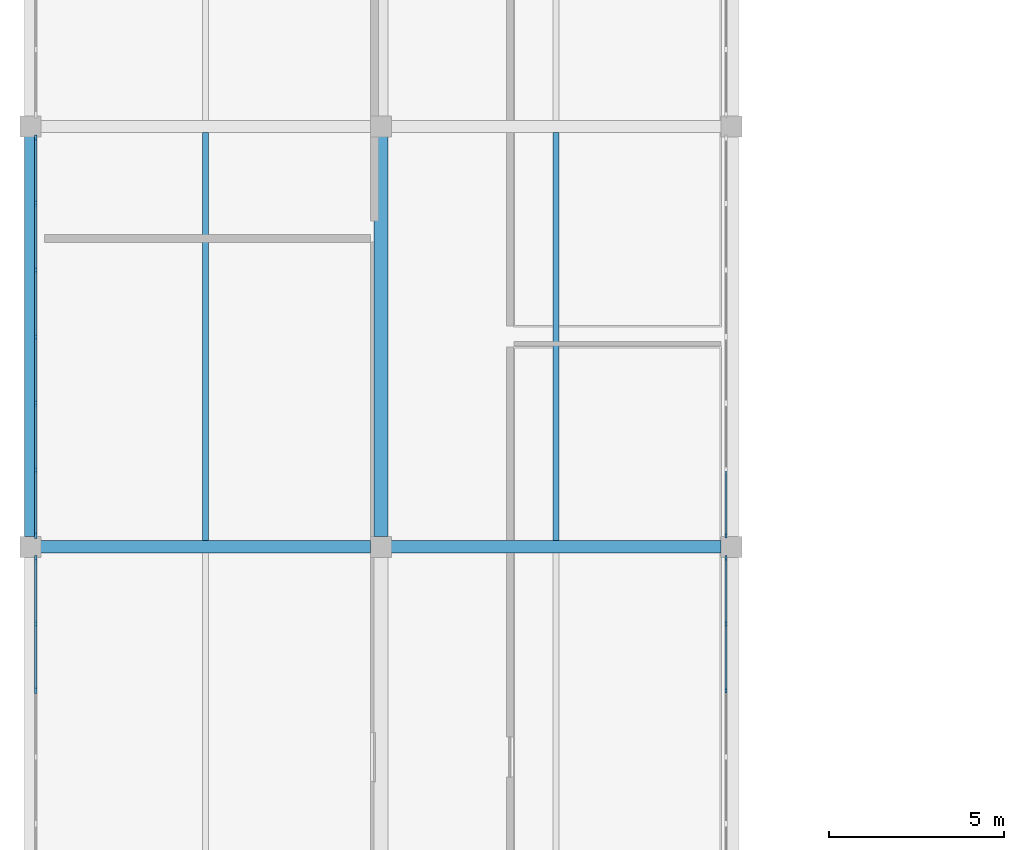
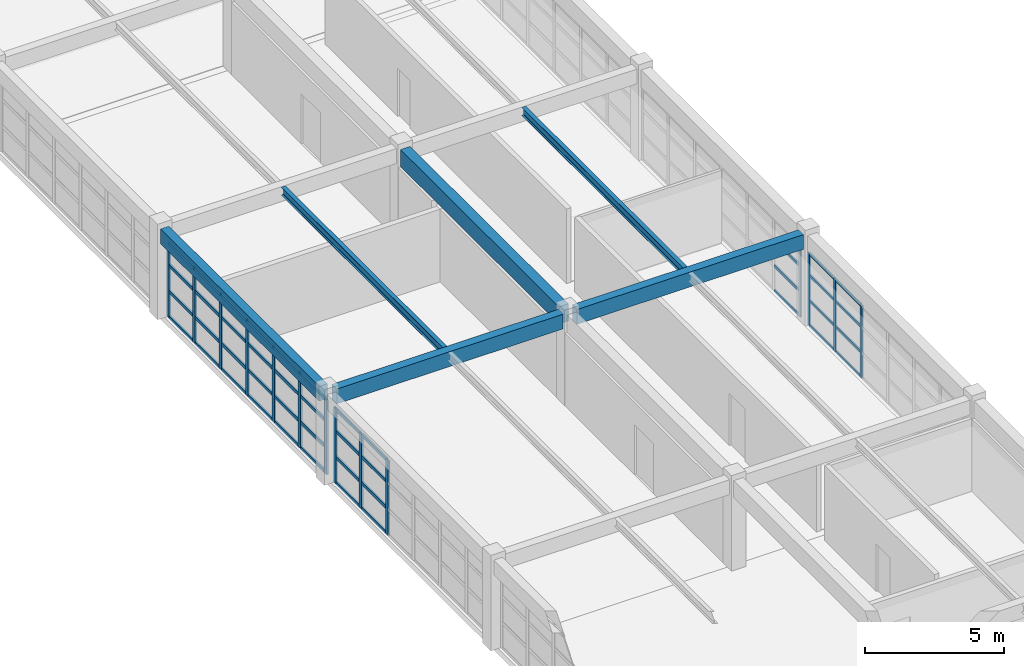
# One storey, part 5 of 28: 57 members, 6 beams, 4 elements without a shape of their own.
"""IFC4 building model written with IfcOpenShell, lengths in metres."""

from ifc_helpers import new_model, si_unit, direction, frame, origin, origin_2d, place, context, subcontext, project, spatial, rectangle, i_section, extrude, material, layer, layer_set, material_profile, profile_set, type_object, element, aggregate, save


model = new_model("IFC4")

# Units and contexts
model_context = context("Model", 3, precision=1e-05, world=origin(), true_north=direction((0.0, 1.0)))
body_context = subcontext(model_context, "Body", "Model", "MODEL_VIEW")
ifc_project = project(units=[si_unit("LENGTHUNIT", "METRE"), si_unit("AREAUNIT", "SQUARE_METRE"), si_unit("VOLUMEUNIT", "CUBIC_METRE"), si_unit("PLANEANGLEUNIT", "RADIAN"), si_unit("MASSUNIT", "GRAM", prefix="KILO")], contexts=[model_context])

# Site, building, storey
site_placement = place(None, origin())
site = spatial("IfcSite", under=ifc_project, at=site_placement, CompositionType="ELEMENT")
building_placement = place(site_placement, origin())
building = spatial("IfcBuilding", under=site, at=building_placement, Name="Kivolera Central Railway Station", CompositionType="ELEMENT")
storey_placement = place(building_placement, frame((0.0, 0.0, 18.60009765625)))
storey = spatial("IfcBuildingStorey", under=building, at=storey_placement, Name="L04", CompositionType="ELEMENT", Elevation=18.60009765625)

# Beams
ifc_material_1 = material(Name="Steel S355", Category="steel")
ifc_material_profile_1 = material_profile(ifc_material_1, i_section(OverallWidth=0.169921875, OverallDepth=0.360107421875, WebThickness=0.008056640625, FlangeThickness=0.0126953125, FilletRadius=0.01806640625, at=origin_2d()), Name="IPE 360")
ifc_profile_set_1 = profile_set([ifc_material_profile_1], Name="Steel S355")
beam_type_1 = type_object("IfcBeamType", Name="BM-JST-IPE360", PredefinedType="JOIST", material=ifc_profile_set_1)
for number, where, z_axis, x_axis, name in (
    (1, (123.0, 90.1669921875, 3.7578125), (0.0, 1.0, 0.0), (-1.0, 0.0, 0.0), "L04 Floor Joist 12-13/H-J"),
    (2, (133.0, 90.1669921875, 3.7578125), (0.0, 1.0, 0.0), (-1.0, 0.0, 0.0), "L04 Floor Joist 13-14/H-J"),
):
    element("IfcBeam", number, at=place(storey_placement, frame(where, z_axis=z_axis, x_axis=x_axis)), inside=storey, type_object=beam_type_1, Name=name, PredefinedType="JOIST", context=body_context, shape_type="SweptSolid", body=[
        extrude(i_section(OverallWidth=0.169921875, OverallDepth=0.360107421875, WebThickness=0.008056640625, FlangeThickness=0.0126953125, FilletRadius=0.01806640625, at=origin_2d()), origin(), (0.0, 0.0, 1.0), 11.666015625),
    ])
ifc_material_2 = material(Name="Concrete C40/50", Category="concrete")
ifc_material_profile_2 = material_profile(ifc_material_2, rectangle(XDim=0.35009765625, YDim=0.64990234375, at=origin_2d()), Name="RC 350x650")
ifc_profile_set_2 = profile_set([ifc_material_profile_2], Name="Concrete C40/50")
beam_type_2 = type_object("IfcBeamType", Name="BM-RC-350x650", PredefinedType="BEAM", material=ifc_profile_set_2)
for number, where, z_axis, x_axis, name in (
    (3, (118.2919921875, 90.0, 3.625), (1.0, 0.0, 0.0), (0.0, 1.0, 0.0), "L04 Wing X-Beam H:12-13"),
    (4, (128.2919921875, 90.0, 3.625), (1.0, 0.0, 0.0), (0.0, 1.0, 0.0), "L04 Wing X-Beam H:13-14"),
):
    element("IfcBeam", number, at=place(storey_placement, frame(where, z_axis=z_axis, x_axis=x_axis)), inside=storey, type_object=beam_type_2, Name=name, PredefinedType="BEAM", context=body_context, shape_type="SweptSolid", body=[
        extrude(rectangle(XDim=0.35009765625, YDim=0.64990234375, at=origin_2d()), origin(), (0.0, 0.0, 1.0), 9.416015625),
    ])
ifc_material_profile_3 = material_profile(ifc_material_2, rectangle(XDim=0.39990234375, YDim=0.75, at=origin_2d()), Name="RC 400x750")
ifc_profile_set_3 = profile_set([ifc_material_profile_3], Name="Concrete C40/50")
beam_type_3 = type_object("IfcBeamType", Name="BM-RC-400x750", PredefinedType="BEAM", material=ifc_profile_set_3)
beam_1_placement = place(storey_placement, frame((128.0, 90.2919921875, 3.574951171875), z_axis=(0.0, 1.0, 0.0), x_axis=(-1.0, 0.0, 0.0)))
element("IfcBeam", 5, at=beam_1_placement, inside=storey, type_object=beam_type_3, Name="L04 Wing Y-Beam 13:H-J", PredefinedType="BEAM", context=body_context, shape_type="SweptSolid", body=[
    extrude(rectangle(XDim=0.39990234375, YDim=0.75, at=origin_2d()), origin(), (0.0, 0.0, 1.0), 11.416015625),
])
ifc_material_profile_4 = material_profile(ifc_material_2, rectangle(XDim=0.35009765625, YDim=0.64990234375, at=origin_2d()), Name="RC 350x650")
ifc_profile_set_4 = profile_set([ifc_material_profile_4], Name="Concrete C40/50")
beam_type_4 = type_object("IfcBeamType", Name="BM-SPN-RC650", PredefinedType="SPANDREL", material=ifc_profile_set_4)
beam_2_placement = place(storey_placement, frame((118.0, 90.2919921875, 3.625), z_axis=(0.0, 1.0, 0.0), x_axis=(-1.0, 0.0, 0.0)))
element("IfcBeam", 6, at=beam_2_placement, inside=storey, type_object=beam_type_4, Name="L04 Wing Y-Beam 12:H-J", PredefinedType="SPANDREL", context=body_context, shape_type="SweptSolid", body=[
    extrude(rectangle(XDim=0.35009765625, YDim=0.64990234375, at=origin_2d()), origin(), (0.0, 0.0, 1.0), 11.416015625),
])

# Curtain wall, members
ifc_material_3 = material(Name="Anodised aluminium", Category="aluminium")
ifc_layer_1 = layer(ifc_material_3, 0.179931640625, Name="Anodised aluminium")
ifc_layer_set_1 = layer_set([ifc_layer_1], Name="Anodised aluminium")
curtain_wall_type_1 = type_object("IfcCurtainWallType", Name="CW-SYS-33", PredefinedType="NOTDEFINED", material=ifc_layer_set_1)
curtain_wall_1_placement = place(storey_placement, origin())
curtain_wall_1 = element("IfcCurtainWall", 7, at=curtain_wall_1_placement, inside=storey, type_object=curtain_wall_type_1, Name="L04 Curtain Wall CW-L04-WEST-G", PredefinedType="NOTDEFINED")
ifc_material_profile_5 = material_profile(ifc_material_3, rectangle(XDim=0.070068359375, YDim=0.179931640625, at=origin_2d()), Name="ALU MULL 70x180")
ifc_profile_set_5 = profile_set([ifc_material_profile_5], Name="Anodised aluminium")
member_type_1 = type_object("IfcMemberType", Name="CWM-MUL-1", PredefinedType="MULLION", material=ifc_profile_set_5)
member_1_placement = place(storey_placement, frame((118.14501953125, 85.901611328125, -0.005126953125), z_axis=(0.0, 0.0, 1.0), x_axis=(-1.0, 0.0, 0.0)))
member_1 = element("IfcMember", 8, at=member_1_placement, type_object=member_type_1, Name="CW-33 mullion 5", PredefinedType="MULLION", context=body_context, shape_type="SweptSolid", body=[
    extrude(rectangle(XDim=0.070068359375, YDim=0.179931640625, at=origin_2d()), origin(), (0.0, 0.0, 1.0), 3.29296875),
])
member_2_placement = place(storey_placement, frame((118.14501953125, 87.80322265625, -0.005126953125), z_axis=(0.0, 0.0, 1.0), x_axis=(-1.0, 0.0, 0.0)))
member_2 = element("IfcMember", 9, at=member_2_placement, type_object=member_type_1, Name="CW-33 mullion 6", PredefinedType="MULLION", context=body_context, shape_type="SweptSolid", body=[
    extrude(rectangle(XDim=0.070068359375, YDim=0.179931640625, at=origin_2d()), origin(), (0.0, 0.0, 1.0), 3.29296875),
])
member_3_placement = place(storey_placement, frame((118.14501953125, 89.669921875, -0.005126953125), z_axis=(0.0, 0.0, 1.0), x_axis=(-1.0, 0.0, 0.0)))
member_3 = element("IfcMember", 10, at=member_3_placement, type_object=member_type_1, Name="CW-33 mullion 7", PredefinedType="MULLION", context=body_context, shape_type="SweptSolid", body=[
    extrude(rectangle(XDim=0.070068359375, YDim=0.179931640625, at=origin_2d()), origin(), (0.0, 0.0, 1.0), 3.29296875),
])

curtain_wall_2_placement = place(storey_placement, origin())
curtain_wall_2 = element("IfcCurtainWall", 11, at=curtain_wall_2_placement, inside=storey, type_object=curtain_wall_type_1, Name="L04 Curtain Wall CW-L04-WEST-H", PredefinedType="NOTDEFINED")
member_4_placement = place(storey_placement, frame((118.14501953125, 90.330078125, -0.005126953125), z_axis=(0.0, 0.0, 1.0), x_axis=(-1.0, 0.0, 0.0)))
member_4 = element("IfcMember", 12, at=member_4_placement, type_object=member_type_1, Name="CW-33 mullion 1", PredefinedType="MULLION", context=body_context, shape_type="SweptSolid", body=[
    extrude(rectangle(XDim=0.070068359375, YDim=0.179931640625, at=origin_2d()), origin(), (0.0, 0.0, 1.0), 3.29296875),
])
member_5_placement = place(storey_placement, frame((118.14501953125, 92.19677734375, -0.005126953125), z_axis=(0.0, 0.0, 1.0), x_axis=(-1.0, 0.0, 0.0)))
member_5 = element("IfcMember", 13, at=member_5_placement, type_object=member_type_1, Name="CW-33 mullion 2", PredefinedType="MULLION", context=body_context, shape_type="SweptSolid", body=[
    extrude(rectangle(XDim=0.070068359375, YDim=0.179931640625, at=origin_2d()), origin(), (0.0, 0.0, 1.0), 3.29296875),
])
member_6_placement = place(storey_placement, frame((118.14501953125, 94.098388671875, -0.005126953125), z_axis=(0.0, 0.0, 1.0), x_axis=(-1.0, 0.0, 0.0)))
member_6 = element("IfcMember", 14, at=member_6_placement, type_object=member_type_1, Name="CW-33 mullion 3", PredefinedType="MULLION", context=body_context, shape_type="SweptSolid", body=[
    extrude(rectangle(XDim=0.070068359375, YDim=0.179931640625, at=origin_2d()), origin(), (0.0, 0.0, 1.0), 3.29296875),
])
member_7_placement = place(storey_placement, frame((118.14501953125, 96.0, -0.005126953125), z_axis=(0.0, 0.0, 1.0), x_axis=(-1.0, 0.0, 0.0)))
member_7 = element("IfcMember", 15, at=member_7_placement, type_object=member_type_1, Name="CW-33 mullion 4", PredefinedType="MULLION", context=body_context, shape_type="SweptSolid", body=[
    extrude(rectangle(XDim=0.070068359375, YDim=0.179931640625, at=origin_2d()), origin(), (0.0, 0.0, 1.0), 3.29296875),
])
member_8_placement = place(storey_placement, frame((118.14501953125, 97.901611328125, -0.005126953125), z_axis=(0.0, 0.0, 1.0), x_axis=(-1.0, 0.0, 0.0)))
member_8 = element("IfcMember", 16, at=member_8_placement, type_object=member_type_1, Name="CW-33 mullion 5", PredefinedType="MULLION", context=body_context, shape_type="SweptSolid", body=[
    extrude(rectangle(XDim=0.070068359375, YDim=0.179931640625, at=origin_2d()), origin(), (0.0, 0.0, 1.0), 3.29296875),
])
member_9_placement = place(storey_placement, frame((118.14501953125, 99.80322265625, -0.005126953125), z_axis=(0.0, 0.0, 1.0), x_axis=(-1.0, 0.0, 0.0)))
member_9 = element("IfcMember", 17, at=member_9_placement, type_object=member_type_1, Name="CW-33 mullion 6", PredefinedType="MULLION", context=body_context, shape_type="SweptSolid", body=[
    extrude(rectangle(XDim=0.070068359375, YDim=0.179931640625, at=origin_2d()), origin(), (0.0, 0.0, 1.0), 3.29296875),
])
member_10_placement = place(storey_placement, frame((118.14501953125, 101.669921875, -0.005126953125), z_axis=(0.0, 0.0, 1.0), x_axis=(-1.0, 0.0, 0.0)))
member_10 = element("IfcMember", 18, at=member_10_placement, type_object=member_type_1, Name="CW-33 mullion 7", PredefinedType="MULLION", context=body_context, shape_type="SweptSolid", body=[
    extrude(rectangle(XDim=0.070068359375, YDim=0.179931640625, at=origin_2d()), origin(), (0.0, 0.0, 1.0), 3.29296875),
])

ifc_layer_2 = layer(ifc_material_3, 0.179931640625, Name="Anodised aluminium")
ifc_layer_set_2 = layer_set([ifc_layer_2], Name="Anodised aluminium")
curtain_wall_type_2 = type_object("IfcCurtainWallType", Name="CW-SYS-32", PredefinedType="NOTDEFINED", material=ifc_layer_set_2)
curtain_wall_3_placement = place(storey_placement, origin())
curtain_wall_3 = element("IfcCurtainWall", 19, at=curtain_wall_3_placement, inside=storey, type_object=curtain_wall_type_2, Name="L04 Curtain Wall CW-L04-CRTW-G", PredefinedType="NOTDEFINED")
ifc_material_profile_6 = material_profile(ifc_material_3, rectangle(XDim=0.06005859375, YDim=0.14990234375, at=origin_2d()), Name="ALU MULL 60x150")
ifc_profile_set_6 = profile_set([ifc_material_profile_6], Name="Anodised aluminium")
member_type_2 = type_object("IfcMemberType", Name="CWM-MUL-2", PredefinedType="MULLION", material=ifc_profile_set_6)
member_11_placement = place(storey_placement, frame((137.85498046875, 89.675048828125, -0.005126953125), z_axis=(0.0, 0.0, 1.0), x_axis=(1.0, 0.0, 0.0)))
member_11 = element("IfcMember", 20, at=member_11_placement, type_object=member_type_2, Name="CW-32 mullion 1", PredefinedType="MULLION", context=body_context, shape_type="SweptSolid", body=[
    extrude(rectangle(XDim=0.06005859375, YDim=0.14990234375, at=origin_2d()), origin(), (0.0, 0.0, 1.0), 3.193115234375),
])
member_12_placement = place(storey_placement, frame((137.85498046875, 87.80322265625, -0.005126953125), z_axis=(0.0, 0.0, 1.0), x_axis=(1.0, 0.0, 0.0)))
member_12 = element("IfcMember", 21, at=member_12_placement, type_object=member_type_2, Name="CW-32 mullion 2", PredefinedType="MULLION", context=body_context, shape_type="SweptSolid", body=[
    extrude(rectangle(XDim=0.06005859375, YDim=0.14990234375, at=origin_2d()), origin(), (0.0, 0.0, 1.0), 3.193115234375),
])
member_13_placement = place(storey_placement, frame((137.85498046875, 85.901611328125, -0.005126953125), z_axis=(0.0, 0.0, 1.0), x_axis=(1.0, 0.0, 0.0)))
member_13 = element("IfcMember", 22, at=member_13_placement, type_object=member_type_2, Name="CW-32 mullion 3", PredefinedType="MULLION", context=body_context, shape_type="SweptSolid", body=[
    extrude(rectangle(XDim=0.06005859375, YDim=0.14990234375, at=origin_2d()), origin(), (0.0, 0.0, 1.0), 3.193115234375),
])

# Curtain wall, member
curtain_wall_4_placement = place(storey_placement, origin())
curtain_wall_4 = element("IfcCurtainWall", 23, at=curtain_wall_4_placement, inside=storey, type_object=curtain_wall_type_2, Name="L04 Curtain Wall CW-L04-CRTW-H", PredefinedType="NOTDEFINED")
member_14_placement = place(storey_placement, frame((137.85498046875, 90.324951171875, -0.005126953125), z_axis=(0.0, 0.0, 1.0), x_axis=(1.0, 0.0, 0.0)))
member_14 = element("IfcMember", 24, at=member_14_placement, type_object=member_type_2, Name="CW-32 mullion 7", PredefinedType="MULLION", context=body_context, shape_type="SweptSolid", body=[
    extrude(rectangle(XDim=0.06005859375, YDim=0.14990234375, at=origin_2d()), origin(), (0.0, 0.0, 1.0), 3.193115234375),
])

# Member
ifc_material_profile_7 = material_profile(ifc_material_3, rectangle(XDim=0.070068359375, YDim=0.139892578125, at=origin_2d()), Name="ALU TRAN 70x140")
ifc_profile_set_7 = profile_set([ifc_material_profile_7], Name="Anodised aluminium")
member_type_3 = type_object("IfcMemberType", Name="CWM-TRN-1", PredefinedType="USERDEFINED", material=ifc_profile_set_7)
member_15_placement = place(storey_placement, frame((118.14501953125, 85.936767578125, 0.034912109375), z_axis=(0.0, 1.0, 0.0), x_axis=(-1.0, 0.0, 0.0)))
member_15 = element("IfcMember", 25, at=member_15_placement, type_object=member_type_3, Name="CW-33 transom 5.1", ObjectType="TRANSOM", PredefinedType="USERDEFINED", context=body_context, shape_type="SweptSolid", body=[
    extrude(rectangle(XDim=0.070068359375, YDim=0.139892578125, at=origin_2d()), origin(), (0.0, 0.0, 1.0), 1.83154296875),
])

member_16_placement = place(storey_placement, frame((118.14501953125, 85.936767578125, 1.150634765625), z_axis=(0.0, 1.0, 0.0), x_axis=(-1.0, 0.0, 0.0)))
member_16 = element("IfcMember", 26, at=member_16_placement, type_object=member_type_3, Name="CW-33 transom 5.2", ObjectType="TRANSOM", PredefinedType="USERDEFINED", context=body_context, shape_type="SweptSolid", body=[
    extrude(rectangle(XDim=0.070068359375, YDim=0.139892578125, at=origin_2d()), origin(), (0.0, 0.0, 1.0), 1.83154296875),
])

member_17_placement = place(storey_placement, frame((118.14501953125, 85.936767578125, 2.301513671875), z_axis=(0.0, 1.0, 0.0), x_axis=(-1.0, 0.0, 0.0)))
member_17 = element("IfcMember", 27, at=member_17_placement, type_object=member_type_3, Name="CW-33 transom 5.3", ObjectType="TRANSOM", PredefinedType="USERDEFINED", context=body_context, shape_type="SweptSolid", body=[
    extrude(rectangle(XDim=0.070068359375, YDim=0.139892578125, at=origin_2d()), origin(), (0.0, 0.0, 1.0), 1.83154296875),
])

member_18_placement = place(storey_placement, frame((118.14501953125, 85.936767578125, 3.2529296875), z_axis=(0.0, 1.0, 0.0), x_axis=(-1.0, 0.0, 0.0)))
member_18 = element("IfcMember", 28, at=member_18_placement, type_object=member_type_3, Name="CW-33 transom 5.4", ObjectType="TRANSOM", PredefinedType="USERDEFINED", context=body_context, shape_type="SweptSolid", body=[
    extrude(rectangle(XDim=0.070068359375, YDim=0.139892578125, at=origin_2d()), origin(), (0.0, 0.0, 1.0), 1.83154296875),
])

member_19_placement = place(storey_placement, frame((118.14501953125, 87.83837890625, 0.034912109375), z_axis=(0.0, 1.0, 0.0), x_axis=(-1.0, 0.0, 0.0)))
member_19 = element("IfcMember", 29, at=member_19_placement, type_object=member_type_3, Name="CW-33 transom 6.1", ObjectType="TRANSOM", PredefinedType="USERDEFINED", context=body_context, shape_type="SweptSolid", body=[
    extrude(rectangle(XDim=0.070068359375, YDim=0.139892578125, at=origin_2d()), origin(), (0.0, 0.0, 1.0), 1.796630859375),
])

member_20_placement = place(storey_placement, frame((118.14501953125, 87.83837890625, 1.150634765625), z_axis=(0.0, 1.0, 0.0), x_axis=(-1.0, 0.0, 0.0)))
member_20 = element("IfcMember", 30, at=member_20_placement, type_object=member_type_3, Name="CW-33 transom 6.2", ObjectType="TRANSOM", PredefinedType="USERDEFINED", context=body_context, shape_type="SweptSolid", body=[
    extrude(rectangle(XDim=0.070068359375, YDim=0.139892578125, at=origin_2d()), origin(), (0.0, 0.0, 1.0), 1.796630859375),
])

member_21_placement = place(storey_placement, frame((118.14501953125, 87.83837890625, 2.301513671875), z_axis=(0.0, 1.0, 0.0), x_axis=(-1.0, 0.0, 0.0)))
member_21 = element("IfcMember", 31, at=member_21_placement, type_object=member_type_3, Name="CW-33 transom 6.3", ObjectType="TRANSOM", PredefinedType="USERDEFINED", context=body_context, shape_type="SweptSolid", body=[
    extrude(rectangle(XDim=0.070068359375, YDim=0.139892578125, at=origin_2d()), origin(), (0.0, 0.0, 1.0), 1.796630859375),
])

member_22_placement = place(storey_placement, frame((118.14501953125, 87.83837890625, 3.2529296875), z_axis=(0.0, 1.0, 0.0), x_axis=(-1.0, 0.0, 0.0)))
member_22 = element("IfcMember", 32, at=member_22_placement, type_object=member_type_3, Name="CW-33 transom 6.4", ObjectType="TRANSOM", PredefinedType="USERDEFINED", context=body_context, shape_type="SweptSolid", body=[
    extrude(rectangle(XDim=0.070068359375, YDim=0.139892578125, at=origin_2d()), origin(), (0.0, 0.0, 1.0), 1.796630859375),
])

aggregate(curtain_wall_1, [member_1, member_2, member_3, member_15, member_16, member_17, member_18, member_19, member_20, member_21, member_22])

member_23_placement = place(storey_placement, frame((118.14501953125, 90.364990234375, 0.034912109375), z_axis=(0.0, 1.0, 0.0), x_axis=(-1.0, 0.0, 0.0)))
member_23 = element("IfcMember", 33, at=member_23_placement, type_object=member_type_3, Name="CW-33 transom 1.1", ObjectType="TRANSOM", PredefinedType="USERDEFINED", context=body_context, shape_type="SweptSolid", body=[
    extrude(rectangle(XDim=0.070068359375, YDim=0.139892578125, at=origin_2d()), origin(), (0.0, 0.0, 1.0), 1.796630859375),
])

member_24_placement = place(storey_placement, frame((118.14501953125, 90.364990234375, 1.150634765625), z_axis=(0.0, 1.0, 0.0), x_axis=(-1.0, 0.0, 0.0)))
member_24 = element("IfcMember", 34, at=member_24_placement, type_object=member_type_3, Name="CW-33 transom 1.2", ObjectType="TRANSOM", PredefinedType="USERDEFINED", context=body_context, shape_type="SweptSolid", body=[
    extrude(rectangle(XDim=0.070068359375, YDim=0.139892578125, at=origin_2d()), origin(), (0.0, 0.0, 1.0), 1.796630859375),
])

member_25_placement = place(storey_placement, frame((118.14501953125, 90.364990234375, 2.301513671875), z_axis=(0.0, 1.0, 0.0), x_axis=(-1.0, 0.0, 0.0)))
member_25 = element("IfcMember", 35, at=member_25_placement, type_object=member_type_3, Name="CW-33 transom 1.3", ObjectType="TRANSOM", PredefinedType="USERDEFINED", context=body_context, shape_type="SweptSolid", body=[
    extrude(rectangle(XDim=0.070068359375, YDim=0.139892578125, at=origin_2d()), origin(), (0.0, 0.0, 1.0), 1.796630859375),
])

member_26_placement = place(storey_placement, frame((118.14501953125, 90.364990234375, 3.2529296875), z_axis=(0.0, 1.0, 0.0), x_axis=(-1.0, 0.0, 0.0)))
member_26 = element("IfcMember", 36, at=member_26_placement, type_object=member_type_3, Name="CW-33 transom 1.4", ObjectType="TRANSOM", PredefinedType="USERDEFINED", context=body_context, shape_type="SweptSolid", body=[
    extrude(rectangle(XDim=0.070068359375, YDim=0.139892578125, at=origin_2d()), origin(), (0.0, 0.0, 1.0), 1.796630859375),
])

member_27_placement = place(storey_placement, frame((118.14501953125, 92.231689453125, 0.034912109375), z_axis=(0.0, 1.0, 0.0), x_axis=(-1.0, 0.0, 0.0)))
member_27 = element("IfcMember", 37, at=member_27_placement, type_object=member_type_3, Name="CW-33 transom 2.1", ObjectType="TRANSOM", PredefinedType="USERDEFINED", context=body_context, shape_type="SweptSolid", body=[
    extrude(rectangle(XDim=0.070068359375, YDim=0.139892578125, at=origin_2d()), origin(), (0.0, 0.0, 1.0), 1.83154296875),
])

member_28_placement = place(storey_placement, frame((118.14501953125, 92.231689453125, 1.150634765625), z_axis=(0.0, 1.0, 0.0), x_axis=(-1.0, 0.0, 0.0)))
member_28 = element("IfcMember", 38, at=member_28_placement, type_object=member_type_3, Name="CW-33 transom 2.2", ObjectType="TRANSOM", PredefinedType="USERDEFINED", context=body_context, shape_type="SweptSolid", body=[
    extrude(rectangle(XDim=0.070068359375, YDim=0.139892578125, at=origin_2d()), origin(), (0.0, 0.0, 1.0), 1.83154296875),
])

member_29_placement = place(storey_placement, frame((118.14501953125, 92.231689453125, 2.301513671875), z_axis=(0.0, 1.0, 0.0), x_axis=(-1.0, 0.0, 0.0)))
member_29 = element("IfcMember", 39, at=member_29_placement, type_object=member_type_3, Name="CW-33 transom 2.3", ObjectType="TRANSOM", PredefinedType="USERDEFINED", context=body_context, shape_type="SweptSolid", body=[
    extrude(rectangle(XDim=0.070068359375, YDim=0.139892578125, at=origin_2d()), origin(), (0.0, 0.0, 1.0), 1.83154296875),
])

member_30_placement = place(storey_placement, frame((118.14501953125, 92.231689453125, 3.2529296875), z_axis=(0.0, 1.0, 0.0), x_axis=(-1.0, 0.0, 0.0)))
member_30 = element("IfcMember", 40, at=member_30_placement, type_object=member_type_3, Name="CW-33 transom 2.4", ObjectType="TRANSOM", PredefinedType="USERDEFINED", context=body_context, shape_type="SweptSolid", body=[
    extrude(rectangle(XDim=0.070068359375, YDim=0.139892578125, at=origin_2d()), origin(), (0.0, 0.0, 1.0), 1.83154296875),
])

member_31_placement = place(storey_placement, frame((118.14501953125, 94.13330078125, 0.034912109375), z_axis=(0.0, 1.0, 0.0), x_axis=(-1.0, 0.0, 0.0)))
member_31 = element("IfcMember", 41, at=member_31_placement, type_object=member_type_3, Name="CW-33 transom 3.1", ObjectType="TRANSOM", PredefinedType="USERDEFINED", context=body_context, shape_type="SweptSolid", body=[
    extrude(rectangle(XDim=0.070068359375, YDim=0.139892578125, at=origin_2d()), origin(), (0.0, 0.0, 1.0), 1.831787109375),
])

member_32_placement = place(storey_placement, frame((118.14501953125, 94.13330078125, 1.150634765625), z_axis=(0.0, 1.0, 0.0), x_axis=(-1.0, 0.0, 0.0)))
member_32 = element("IfcMember", 42, at=member_32_placement, type_object=member_type_3, Name="CW-33 transom 3.2", ObjectType="TRANSOM", PredefinedType="USERDEFINED", context=body_context, shape_type="SweptSolid", body=[
    extrude(rectangle(XDim=0.070068359375, YDim=0.139892578125, at=origin_2d()), origin(), (0.0, 0.0, 1.0), 1.831787109375),
])

member_33_placement = place(storey_placement, frame((118.14501953125, 94.13330078125, 2.301513671875), z_axis=(0.0, 1.0, 0.0), x_axis=(-1.0, 0.0, 0.0)))
member_33 = element("IfcMember", 43, at=member_33_placement, type_object=member_type_3, Name="CW-33 transom 3.3", ObjectType="TRANSOM", PredefinedType="USERDEFINED", context=body_context, shape_type="SweptSolid", body=[
    extrude(rectangle(XDim=0.070068359375, YDim=0.139892578125, at=origin_2d()), origin(), (0.0, 0.0, 1.0), 1.831787109375),
])

member_34_placement = place(storey_placement, frame((118.14501953125, 94.13330078125, 3.2529296875), z_axis=(0.0, 1.0, 0.0), x_axis=(-1.0, 0.0, 0.0)))
member_34 = element("IfcMember", 44, at=member_34_placement, type_object=member_type_3, Name="CW-33 transom 3.4", ObjectType="TRANSOM", PredefinedType="USERDEFINED", context=body_context, shape_type="SweptSolid", body=[
    extrude(rectangle(XDim=0.070068359375, YDim=0.139892578125, at=origin_2d()), origin(), (0.0, 0.0, 1.0), 1.831787109375),
])

member_35_placement = place(storey_placement, frame((118.14501953125, 96.034912109375, 0.034912109375), z_axis=(0.0, 1.0, 0.0), x_axis=(-1.0, 0.0, 0.0)))
member_35 = element("IfcMember", 45, at=member_35_placement, type_object=member_type_3, Name="CW-33 transom 4.1", ObjectType="TRANSOM", PredefinedType="USERDEFINED", context=body_context, shape_type="SweptSolid", body=[
    extrude(rectangle(XDim=0.070068359375, YDim=0.139892578125, at=origin_2d()), origin(), (0.0, 0.0, 1.0), 1.831787109375),
])

member_36_placement = place(storey_placement, frame((118.14501953125, 96.034912109375, 1.150634765625), z_axis=(0.0, 1.0, 0.0), x_axis=(-1.0, 0.0, 0.0)))
member_36 = element("IfcMember", 46, at=member_36_placement, type_object=member_type_3, Name="CW-33 transom 4.2", ObjectType="TRANSOM", PredefinedType="USERDEFINED", context=body_context, shape_type="SweptSolid", body=[
    extrude(rectangle(XDim=0.070068359375, YDim=0.139892578125, at=origin_2d()), origin(), (0.0, 0.0, 1.0), 1.831787109375),
])

member_37_placement = place(storey_placement, frame((118.14501953125, 96.034912109375, 2.301513671875), z_axis=(0.0, 1.0, 0.0), x_axis=(-1.0, 0.0, 0.0)))
member_37 = element("IfcMember", 47, at=member_37_placement, type_object=member_type_3, Name="CW-33 transom 4.3", ObjectType="TRANSOM", PredefinedType="USERDEFINED", context=body_context, shape_type="SweptSolid", body=[
    extrude(rectangle(XDim=0.070068359375, YDim=0.139892578125, at=origin_2d()), origin(), (0.0, 0.0, 1.0), 1.831787109375),
])

member_38_placement = place(storey_placement, frame((118.14501953125, 96.034912109375, 3.2529296875), z_axis=(0.0, 1.0, 0.0), x_axis=(-1.0, 0.0, 0.0)))
member_38 = element("IfcMember", 48, at=member_38_placement, type_object=member_type_3, Name="CW-33 transom 4.4", ObjectType="TRANSOM", PredefinedType="USERDEFINED", context=body_context, shape_type="SweptSolid", body=[
    extrude(rectangle(XDim=0.070068359375, YDim=0.139892578125, at=origin_2d()), origin(), (0.0, 0.0, 1.0), 1.831787109375),
])

member_39_placement = place(storey_placement, frame((118.14501953125, 97.936767578125, 0.034912109375), z_axis=(0.0, 1.0, 0.0), x_axis=(-1.0, 0.0, 0.0)))
member_39 = element("IfcMember", 49, at=member_39_placement, type_object=member_type_3, Name="CW-33 transom 5.1", ObjectType="TRANSOM", PredefinedType="USERDEFINED", context=body_context, shape_type="SweptSolid", body=[
    extrude(rectangle(XDim=0.070068359375, YDim=0.139892578125, at=origin_2d()), origin(), (0.0, 0.0, 1.0), 1.83154296875),
])

member_40_placement = place(storey_placement, frame((118.14501953125, 97.936767578125, 1.150634765625), z_axis=(0.0, 1.0, 0.0), x_axis=(-1.0, 0.0, 0.0)))
member_40 = element("IfcMember", 50, at=member_40_placement, type_object=member_type_3, Name="CW-33 transom 5.2", ObjectType="TRANSOM", PredefinedType="USERDEFINED", context=body_context, shape_type="SweptSolid", body=[
    extrude(rectangle(XDim=0.070068359375, YDim=0.139892578125, at=origin_2d()), origin(), (0.0, 0.0, 1.0), 1.83154296875),
])

member_41_placement = place(storey_placement, frame((118.14501953125, 97.936767578125, 2.301513671875), z_axis=(0.0, 1.0, 0.0), x_axis=(-1.0, 0.0, 0.0)))
member_41 = element("IfcMember", 51, at=member_41_placement, type_object=member_type_3, Name="CW-33 transom 5.3", ObjectType="TRANSOM", PredefinedType="USERDEFINED", context=body_context, shape_type="SweptSolid", body=[
    extrude(rectangle(XDim=0.070068359375, YDim=0.139892578125, at=origin_2d()), origin(), (0.0, 0.0, 1.0), 1.83154296875),
])

member_42_placement = place(storey_placement, frame((118.14501953125, 97.936767578125, 3.2529296875), z_axis=(0.0, 1.0, 0.0), x_axis=(-1.0, 0.0, 0.0)))
member_42 = element("IfcMember", 52, at=member_42_placement, type_object=member_type_3, Name="CW-33 transom 5.4", ObjectType="TRANSOM", PredefinedType="USERDEFINED", context=body_context, shape_type="SweptSolid", body=[
    extrude(rectangle(XDim=0.070068359375, YDim=0.139892578125, at=origin_2d()), origin(), (0.0, 0.0, 1.0), 1.83154296875),
])

member_43_placement = place(storey_placement, frame((118.14501953125, 99.83837890625, 0.034912109375), z_axis=(0.0, 1.0, 0.0), x_axis=(-1.0, 0.0, 0.0)))
member_43 = element("IfcMember", 53, at=member_43_placement, type_object=member_type_3, Name="CW-33 transom 6.1", ObjectType="TRANSOM", PredefinedType="USERDEFINED", context=body_context, shape_type="SweptSolid", body=[
    extrude(rectangle(XDim=0.070068359375, YDim=0.139892578125, at=origin_2d()), origin(), (0.0, 0.0, 1.0), 1.796630859375),
])

member_44_placement = place(storey_placement, frame((118.14501953125, 99.83837890625, 1.150634765625), z_axis=(0.0, 1.0, 0.0), x_axis=(-1.0, 0.0, 0.0)))
member_44 = element("IfcMember", 54, at=member_44_placement, type_object=member_type_3, Name="CW-33 transom 6.2", ObjectType="TRANSOM", PredefinedType="USERDEFINED", context=body_context, shape_type="SweptSolid", body=[
    extrude(rectangle(XDim=0.070068359375, YDim=0.139892578125, at=origin_2d()), origin(), (0.0, 0.0, 1.0), 1.796630859375),
])

member_45_placement = place(storey_placement, frame((118.14501953125, 99.83837890625, 2.301513671875), z_axis=(0.0, 1.0, 0.0), x_axis=(-1.0, 0.0, 0.0)))
member_45 = element("IfcMember", 55, at=member_45_placement, type_object=member_type_3, Name="CW-33 transom 6.3", ObjectType="TRANSOM", PredefinedType="USERDEFINED", context=body_context, shape_type="SweptSolid", body=[
    extrude(rectangle(XDim=0.070068359375, YDim=0.139892578125, at=origin_2d()), origin(), (0.0, 0.0, 1.0), 1.796630859375),
])

member_46_placement = place(storey_placement, frame((118.14501953125, 99.83837890625, 3.2529296875), z_axis=(0.0, 1.0, 0.0), x_axis=(-1.0, 0.0, 0.0)))
member_46 = element("IfcMember", 56, at=member_46_placement, type_object=member_type_3, Name="CW-33 transom 6.4", ObjectType="TRANSOM", PredefinedType="USERDEFINED", context=body_context, shape_type="SweptSolid", body=[
    extrude(rectangle(XDim=0.070068359375, YDim=0.139892578125, at=origin_2d()), origin(), (0.0, 0.0, 1.0), 1.796630859375),
])

aggregate(curtain_wall_2, [member_4, member_5, member_6, member_7, member_8, member_9, member_10, member_23, member_24, member_25, member_26, member_27, member_28, member_29, member_30, member_31, member_32, member_33, member_34, member_35, member_36, member_37, member_38, member_39, member_40, member_41, member_42, member_43, member_44, member_45, member_46])

ifc_material_profile_8 = material_profile(ifc_material_3, rectangle(XDim=0.06005859375, YDim=0.1201171875, at=origin_2d()), Name="ALU TRAN 60x120")
ifc_profile_set_8 = profile_set([ifc_material_profile_8], Name="Anodised aluminium")
member_type_4 = type_object("IfcMemberType", Name="CWM-TRN-2", PredefinedType="USERDEFINED", material=ifc_profile_set_8)
member_47_placement = place(storey_placement, frame((137.85498046875, 89.64501953125, 0.02978515625), z_axis=(0.0, -1.0, 0.0), x_axis=(1.0, 0.0, 0.0)))
member_47 = element("IfcMember", 57, at=member_47_placement, type_object=member_type_4, Name="CW-32 transom 1.1", ObjectType="TRANSOM", PredefinedType="USERDEFINED", context=body_context, shape_type="SweptSolid", body=[
    extrude(rectangle(XDim=0.06005859375, YDim=0.1201171875, at=origin_2d()), origin(), (0.0, 0.0, 1.0), 1.811767578125),
])

member_48_placement = place(storey_placement, frame((137.85498046875, 89.64501953125, 1.11572265625), z_axis=(0.0, -1.0, 0.0), x_axis=(1.0, 0.0, 0.0)))
member_48 = element("IfcMember", 58, at=member_48_placement, type_object=member_type_4, Name="CW-32 transom 1.2", ObjectType="TRANSOM", PredefinedType="USERDEFINED", context=body_context, shape_type="SweptSolid", body=[
    extrude(rectangle(XDim=0.06005859375, YDim=0.1201171875, at=origin_2d()), origin(), (0.0, 0.0, 1.0), 1.811767578125),
])

member_49_placement = place(storey_placement, frame((137.85498046875, 89.64501953125, 2.2314453125), z_axis=(0.0, -1.0, 0.0), x_axis=(1.0, 0.0, 0.0)))
member_49 = element("IfcMember", 59, at=member_49_placement, type_object=member_type_4, Name="CW-32 transom 1.3", ObjectType="TRANSOM", PredefinedType="USERDEFINED", context=body_context, shape_type="SweptSolid", body=[
    extrude(rectangle(XDim=0.06005859375, YDim=0.1201171875, at=origin_2d()), origin(), (0.0, 0.0, 1.0), 1.811767578125),
])

member_50_placement = place(storey_placement, frame((137.85498046875, 89.64501953125, 3.157958984375), z_axis=(0.0, -1.0, 0.0), x_axis=(1.0, 0.0, 0.0)))
member_50 = element("IfcMember", 60, at=member_50_placement, type_object=member_type_4, Name="CW-32 transom 1.4", ObjectType="TRANSOM", PredefinedType="USERDEFINED", context=body_context, shape_type="SweptSolid", body=[
    extrude(rectangle(XDim=0.06005859375, YDim=0.1201171875, at=origin_2d()), origin(), (0.0, 0.0, 1.0), 1.811767578125),
])

member_51_placement = place(storey_placement, frame((137.85498046875, 87.7734375, 0.02978515625), z_axis=(0.0, -1.0, 0.0), x_axis=(1.0, 0.0, 0.0)))
member_51 = element("IfcMember", 61, at=member_51_placement, type_object=member_type_4, Name="CW-32 transom 2.1", ObjectType="TRANSOM", PredefinedType="USERDEFINED", context=body_context, shape_type="SweptSolid", body=[
    extrude(rectangle(XDim=0.06005859375, YDim=0.1201171875, at=origin_2d()), origin(), (0.0, 0.0, 1.0), 1.841796875),
])

member_52_placement = place(storey_placement, frame((137.85498046875, 87.7734375, 1.11572265625), z_axis=(0.0, -1.0, 0.0), x_axis=(1.0, 0.0, 0.0)))
member_52 = element("IfcMember", 62, at=member_52_placement, type_object=member_type_4, Name="CW-32 transom 2.2", ObjectType="TRANSOM", PredefinedType="USERDEFINED", context=body_context, shape_type="SweptSolid", body=[
    extrude(rectangle(XDim=0.06005859375, YDim=0.1201171875, at=origin_2d()), origin(), (0.0, 0.0, 1.0), 1.841796875),
])

member_53_placement = place(storey_placement, frame((137.85498046875, 87.7734375, 2.2314453125), z_axis=(0.0, -1.0, 0.0), x_axis=(1.0, 0.0, 0.0)))
member_53 = element("IfcMember", 63, at=member_53_placement, type_object=member_type_4, Name="CW-32 transom 2.3", ObjectType="TRANSOM", PredefinedType="USERDEFINED", context=body_context, shape_type="SweptSolid", body=[
    extrude(rectangle(XDim=0.06005859375, YDim=0.1201171875, at=origin_2d()), origin(), (0.0, 0.0, 1.0), 1.841796875),
])

member_54_placement = place(storey_placement, frame((137.85498046875, 87.7734375, 3.157958984375), z_axis=(0.0, -1.0, 0.0), x_axis=(1.0, 0.0, 0.0)))
member_54 = element("IfcMember", 64, at=member_54_placement, type_object=member_type_4, Name="CW-32 transom 2.4", ObjectType="TRANSOM", PredefinedType="USERDEFINED", context=body_context, shape_type="SweptSolid", body=[
    extrude(rectangle(XDim=0.06005859375, YDim=0.1201171875, at=origin_2d()), origin(), (0.0, 0.0, 1.0), 1.841796875),
])

aggregate(curtain_wall_3, [member_11, member_12, member_13, member_47, member_48, member_49, member_50, member_51, member_52, member_53, member_54])

member_55_placement = place(storey_placement, frame((137.85498046875, 92.166748046875, 0.02978515625), z_axis=(0.0, -1.0, 0.0), x_axis=(1.0, 0.0, 0.0)))
member_55 = element("IfcMember", 65, at=member_55_placement, type_object=member_type_4, Name="CW-32 transom 6.1", ObjectType="TRANSOM", PredefinedType="USERDEFINED", context=body_context, shape_type="SweptSolid", body=[
    extrude(rectangle(XDim=0.06005859375, YDim=0.1201171875, at=origin_2d()), origin(), (0.0, 0.0, 1.0), 1.811767578125),
])

member_56_placement = place(storey_placement, frame((137.85498046875, 92.166748046875, 1.11572265625), z_axis=(0.0, -1.0, 0.0), x_axis=(1.0, 0.0, 0.0)))
member_56 = element("IfcMember", 66, at=member_56_placement, type_object=member_type_4, Name="CW-32 transom 6.2", ObjectType="TRANSOM", PredefinedType="USERDEFINED", context=body_context, shape_type="SweptSolid", body=[
    extrude(rectangle(XDim=0.06005859375, YDim=0.1201171875, at=origin_2d()), origin(), (0.0, 0.0, 1.0), 1.811767578125),
])

member_57_placement = place(storey_placement, frame((137.85498046875, 92.166748046875, 2.2314453125), z_axis=(0.0, -1.0, 0.0), x_axis=(1.0, 0.0, 0.0)))
member_57 = element("IfcMember", 67, at=member_57_placement, type_object=member_type_4, Name="CW-32 transom 6.3", ObjectType="TRANSOM", PredefinedType="USERDEFINED", context=body_context, shape_type="SweptSolid", body=[
    extrude(rectangle(XDim=0.06005859375, YDim=0.1201171875, at=origin_2d()), origin(), (0.0, 0.0, 1.0), 1.811767578125),
])

aggregate(curtain_wall_4, [member_14, member_55, member_56, member_57])

save(model, "model.ifc")
